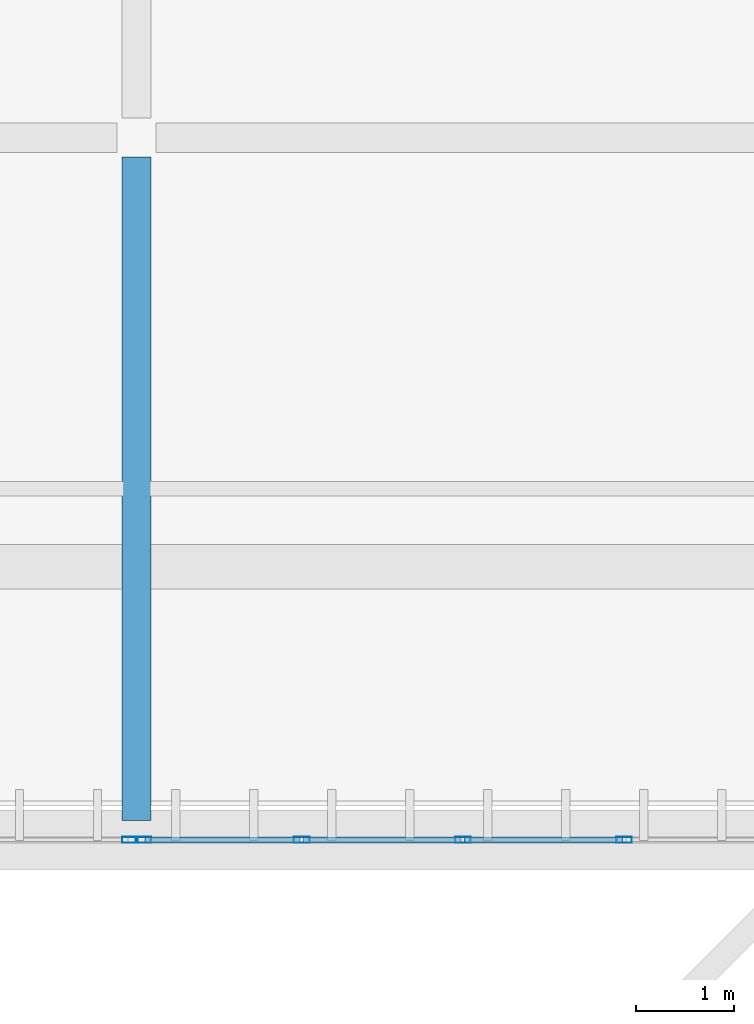
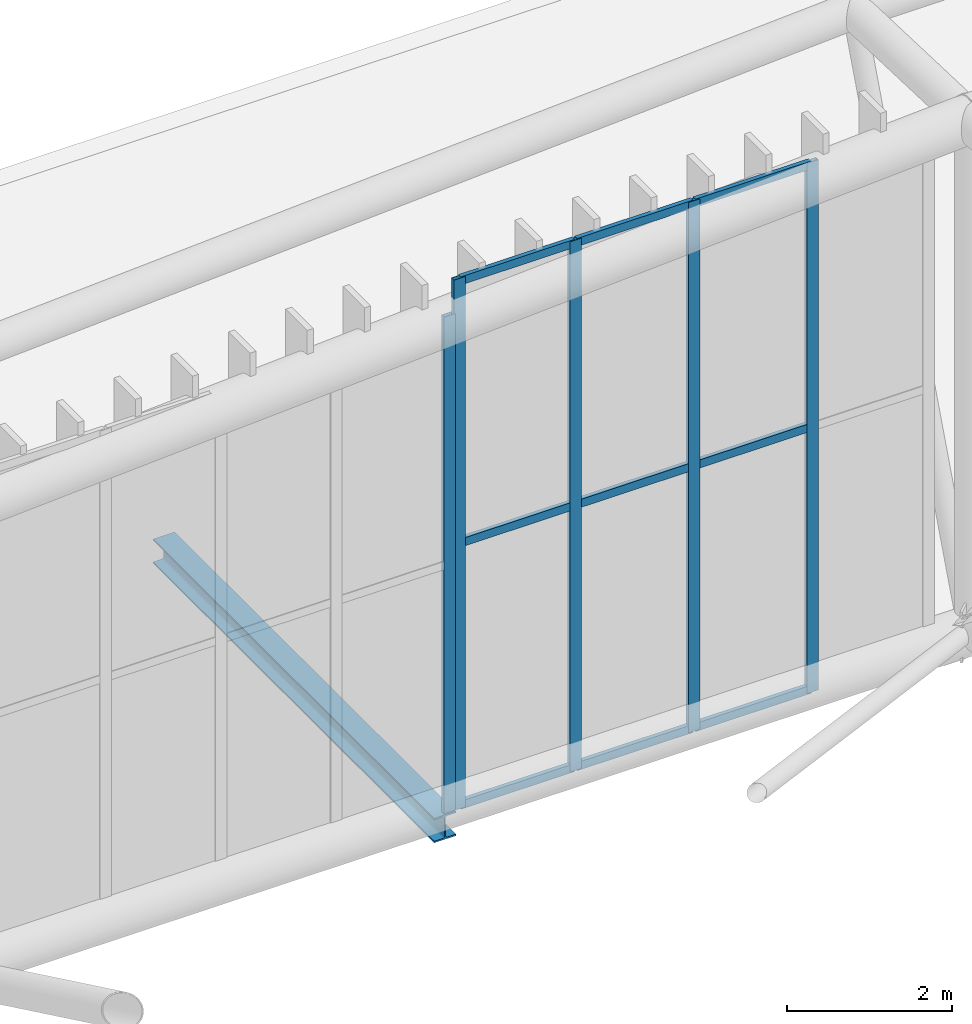
# One storey, part 262 of 397: 14 members, 1 beam, 2 elements without a shape of their own.
"""IFC4 building model written with IfcOpenShell, lengths in metres."""

import ifcopenshell
import ifcopenshell.guid

model = None  # the IFC model being written
_history = None  # IfcOwnerHistory: only IFC2X3 demands one
_inside = {}  # id of a spatial element -> (the spatial element, [elements in it])
_under = {}  # id of a project, library or spatial element -> (it, [spatial elements below it])
_declared = {}  # id of a project -> (the project, [libraries it declares])
_typed = {}  # id of a type object -> (the type object, [elements of that type])
_made_of = {}  # id of a material, layer set ... -> (it, [elements and type objects made of it])


def new_model(schema):
    """Start an empty IFC model of exactly this schema.

    Asked for "IFC4X3", IfcOpenShell would pick the latest addendum, in which some entities
    have other attributes; the version numbers below select the first issue.
    IFC2X3 requires an IfcOwnerHistory on every rooted entity: one is made here for all.
    """
    global model, _history
    if schema == "IFC4X3":
        model = ifcopenshell.file(schema_version=(4, 3, 0, 0))
    else:
        model = ifcopenshell.file(schema=schema)
    _inside.clear()
    _under.clear()
    _declared.clear()
    _typed.clear()
    _made_of.clear()
    _history = None
    if model.schema == "IFC2X3":
        org = make("IfcOrganization", Name="unknown")
        user = make(
            "IfcPersonAndOrganization",
            ThePerson=make("IfcPerson", FamilyName="unknown"),
            TheOrganization=org,
        )
        app = make(
            "IfcApplication",
            ApplicationDeveloper=org,
            Version="unknown",
            ApplicationFullName="unknown",
            ApplicationIdentifier="unknown",
        )
        _history = make(
            "IfcOwnerHistory",
            OwningUser=user,
            OwningApplication=app,
            ChangeAction="ADDED",
            CreationDate=0,
        )
    return model


def make(cls, **values):
    """One entity of the class cls with the attributes given. An attribute that is None is left unset."""
    return model.create_entity(
        cls, **{name: value for name, value in values.items() if value is not None}
    )


def rooted(cls, **values):
    """An entity with a GlobalId (a new one), such as an element, a storey or a relation."""
    return make(cls, GlobalId=ifcopenshell.guid.new(), OwnerHistory=_history, **values)


def si_unit(unit_type, name, prefix=None):
    """IfcSIUnit, for example si_unit("LENGTHUNIT", "METRE", prefix="MILLI")."""
    return make("IfcSIUnit", UnitType=unit_type, Prefix=prefix, Name=name)


def assignment(units):
    """IfcUnitAssignment: the units of a project."""
    return None if units is None else make("IfcUnitAssignment", Units=units)


def point(xyz):
    """IfcCartesianPoint."""
    return None if xyz is None else make("IfcCartesianPoint", Coordinates=xyz)


def direction(xyz):
    """IfcDirection."""
    return None if xyz is None else make("IfcDirection", DirectionRatios=xyz)


def frame(location, z_axis=None, x_axis=None):
    """IfcAxis2Placement3D, a coordinate frame: its origin and axes. An axis left out is left unset."""
    return make(
        "IfcAxis2Placement3D",
        Location=point(location),
        Axis=direction(z_axis),
        RefDirection=direction(x_axis),
    )


def frame_2d(location, x_axis=None):
    """IfcAxis2Placement2D, a coordinate frame in the plane: its origin and x axis."""
    return make(
        "IfcAxis2Placement2D", Location=point(location), RefDirection=direction(x_axis)
    )


def origin():
    """The frame at (0, 0, 0) with its axes left unset."""
    return frame((0.0, 0.0, 0.0))


def origin_2d():
    """The frame at (0, 0) in the plane with its x axis left unset."""
    return frame_2d((0.0, 0.0))


def place(relative_to, where):
    """IfcLocalPlacement: puts the frame where relative to a parent placement (None: the world)."""
    return make(
        "IfcLocalPlacement", PlacementRelTo=relative_to, RelativePlacement=where
    )


def context(
    kind, dimensions, precision=None, world=None, true_north=None, identifier=None
):
    """IfcGeometricRepresentationContext, for example the 3D "Model" context."""
    return make(
        "IfcGeometricRepresentationContext",
        ContextIdentifier=identifier,
        ContextType=kind,
        CoordinateSpaceDimension=dimensions,
        Precision=precision,
        WorldCoordinateSystem=world,
        TrueNorth=true_north,
    )


def subcontext(parent, identifier, kind, view, scale=None):
    """IfcGeometricRepresentationSubContext, for example "Body" below "Model"."""
    return make(
        "IfcGeometricRepresentationSubContext",
        ContextIdentifier=identifier,
        ContextType=kind,
        ParentContext=parent,
        TargetScale=scale,
        TargetView=view,
    )


def project(units=None, contexts=None):
    """IfcProject with its units and contexts."""
    return rooted(
        "IfcProject",
        Name="project",
        RepresentationContexts=contexts,
        UnitsInContext=assignment(units),
    )


def spatial(cls, under=None, at=None, **own):
    """A site, building, storey or space (cls), placed at a placement, below another one or the project."""
    s = rooted(cls, ObjectPlacement=at, **own)
    if under is not None:
        _under.setdefault(under.id(), (under, []))[1].append(s)
    return s


def profile(cls, at=None, kind="AREA", **sizes):
    """A parametric profile (cls). Its sizes go by their IFC names, for example OverallWidth=200.0."""
    return make(cls, ProfileType=kind, Position=at, **sizes)


def hollow_rectangle(**sizes):
    """IfcRectangleHollowProfileDef."""
    return profile("IfcRectangleHollowProfileDef", **sizes)


def i_section(**sizes):
    """IfcIShapeProfileDef."""
    return profile("IfcIShapeProfileDef", **sizes)


def extrude(swept, where, along, depth):
    """IfcExtrudedAreaSolid: the profile swept, set in the frame where, extruded along a direction by depth."""
    return make(
        "IfcExtrudedAreaSolid",
        SweptArea=swept,
        Position=where,
        ExtrudedDirection=direction(along),
        Depth=depth,
    )


def shape(context_of_items, identifier, shape_type, items):
    """IfcShapeRepresentation: the items that make up one representation, for example the "Body"."""
    return make(
        "IfcShapeRepresentation",
        ContextOfItems=context_of_items,
        RepresentationIdentifier=identifier,
        RepresentationType=shape_type,
        Items=items,
    )


def material(Name=None, Category=None):
    """IfcMaterial."""
    return make("IfcMaterial", Name=Name, Category=Category)


def material_profile(
    of_material, cross_section, Name=None, Category=None, Priority=None
):
    """IfcMaterialProfile: a cross section and its material."""
    return make(
        "IfcMaterialProfile",
        Name=Name,
        Material=of_material,
        Profile=cross_section,
        Priority=Priority,
        Category=Category,
    )


def profile_set(profiles, Name=None, composite=None):
    """IfcMaterialProfileSet."""
    return make(
        "IfcMaterialProfileSet",
        Name=Name,
        MaterialProfiles=profiles,
        CompositeProfile=composite,
    )


def made_of(thing, what):
    """Note that an element or type object is made of a material, layer set ...; save() writes the relation."""
    if what is not None:
        _made_of.setdefault(what.id(), (what, []))[1].append(thing)
    return thing


def type_object(cls, material=None, **own):
    """A type object (cls), such as IfcWallType, which elements share."""
    return made_of(rooted(cls, **own), material)


def element(
    cls,
    number,
    at=None,
    inside=None,
    cuts=None,
    type_object=None,
    material=None,
    context=None,
    identifier="Body",
    shape_type=None,
    held_by="IfcProductDefinitionShape",
    body=None,
    shapes=None,
    **own,
):
    """One element of the class cls, such as IfcWall. Its Tag is "e" and its number.

    at: its placement. inside: the storey or other place that contains it. cuts: it is an
    opening in that element (IfcRelVoidsElement). A single representation is given by context,
    identifier, shape_type and body (its items); several are given by shapes. held_by: the class
    of the entity that holds the representations. save() writes the other relations.
    """
    e = rooted(cls, Tag="e%d" % number, ObjectPlacement=at, **own)
    if body is not None:
        shapes = [shape(context, identifier, shape_type, body)]
    if shapes is not None:
        e.Representation = make(held_by, Representations=shapes)
    if inside is not None:
        _inside.setdefault(inside.id(), (inside, []))[1].append(e)
    if cuts is not None:
        rooted(
            "IfcRelVoidsElement", RelatingBuildingElement=cuts, RelatedOpeningElement=e
        )
    if type_object is not None:
        _typed.setdefault(type_object.id(), (type_object, []))[1].append(e)
    return made_of(e, material)


def aggregate(whole, parts):
    """IfcRelAggregates: a whole, such as a stair, and the parts it consists of."""
    return rooted("IfcRelAggregates", RelatingObject=whole, RelatedObjects=parts)


def save(model, path):
    """Write the relations noted so far, then the file.

    IfcRelAggregates (storeys below a building ...), IfcRelContainedInSpatialStructure (elements
    in a storey), IfcRelDefinesByType, IfcRelAssociatesMaterial and IfcRelDeclares: one each for
    every whole, place, type object, material and project.
    """
    for whole, parts in _under.values():
        aggregate(whole, parts)
    for where, things in _inside.values():
        rooted(
            "IfcRelContainedInSpatialStructure",
            RelatedElements=things,
            RelatingStructure=where,
        )
    for kind, things in _typed.values():
        rooted("IfcRelDefinesByType", RelatedObjects=things, RelatingType=kind)
    for what, things in _made_of.values():
        rooted("IfcRelAssociatesMaterial", RelatedObjects=things, RelatingMaterial=what)
    for by, libraries in _declared.values():
        rooted("IfcRelDeclares", RelatingContext=by, RelatedDefinitions=libraries)
    model.write(path)


model = new_model("IFC4")

# Units and contexts
model_context = context("Model", 3, precision=1e-05, world=origin(), true_north=direction((0.0, 1.0)))
body_context = subcontext(model_context, "Body", "Model", "MODEL_VIEW")
ifc_project = project(units=[si_unit("LENGTHUNIT", "METRE"), si_unit("AREAUNIT", "SQUARE_METRE"), si_unit("VOLUMEUNIT", "CUBIC_METRE"), si_unit("PLANEANGLEUNIT", "RADIAN"), si_unit("MASSUNIT", "GRAM", prefix="KILO")], contexts=[model_context])

# Site, building, storey
site_placement = place(None, origin())
site = spatial("IfcSite", under=ifc_project, at=site_placement, CompositionType="ELEMENT")
building_placement = place(site_placement, origin())
building = spatial("IfcBuilding", under=site, at=building_placement, Name="Qandorah Velis Arena", CompositionType="ELEMENT")
storey_placement = place(building_placement, frame((0.0, 0.0, 27.5)))
storey = spatial("IfcBuildingStorey", under=building, at=storey_placement, Name="RF", CompositionType="ELEMENT", Elevation=27.5)

# Curtain wall, member
ifc_material_1 = material(Name="Solar-control low-E double glazing", Category="glass")
curtain_wall_type_1 = type_object("IfcCurtainWallType", Name="ARC-CW-SYS03", PredefinedType="USERDEFINED", material=ifc_material_1)
curtain_wall_1_placement = place(storey_placement, origin())
curtain_wall_1 = element("IfcCurtainWall", 1, at=curtain_wall_1_placement, inside=storey, type_object=curtain_wall_type_1, Name="Unitised curtain wall CROWN-4-03S1", ObjectType="UNITISED CURTAIN WALL", PredefinedType="USERDEFINED")
ifc_material_2 = material(Name="Champagne-bronze anodized aluminium 6063-T6", Category="aluminium")
ifc_material_profile_1 = material_profile(ifc_material_2, hollow_rectangle(XDim=0.06005859375, YDim=0.159912109375, WallThickness=0.00341796875, at=origin_2d()), Name="ALU MULLION 60x160")
ifc_profile_set_1 = profile_set([ifc_material_profile_1], Name="Champagne-bronze anodized aluminium 6063-T6")
member_type_1 = type_object("IfcMemberType", Name="ARC-CWM-160", PredefinedType="MULLION", material=ifc_profile_set_1)
member_1_placement = place(storey_placement, frame((50.330078125, 115.199951171875, -0.014892578125), z_axis=(0.0, 0.0, 1.0), x_axis=(0.0, 1.0, 0.0)))
member_1 = element("IfcMember", 2, at=member_1_placement, type_object=member_type_1, Name="CW03 mullion 5", PredefinedType="MULLION", context=body_context, shape_type="SweptSolid", body=[
    extrude(hollow_rectangle(XDim=0.06005859375, YDim=0.159912109375, WallThickness=0.00341796875, at=origin_2d()), origin(), (0.0, 0.0, 1.0), 7.32958984375),
])
aggregate(curtain_wall_1, [member_1])

# Curtain wall, members
curtain_wall_type_2 = type_object("IfcCurtainWallType", Name="ARC-CW-SYS04", PredefinedType="USERDEFINED", material=ifc_material_1)
curtain_wall_2_placement = place(storey_placement, origin())
curtain_wall_2 = element("IfcCurtainWall", 3, at=curtain_wall_2_placement, inside=storey, type_object=curtain_wall_type_2, Name="Unitised curtain wall CROWN-4-03S2", ObjectType="UNITISED CURTAIN WALL", PredefinedType="USERDEFINED")
member_2_placement = place(storey_placement, frame((50.469970703125, 115.199951171875, -0.014892578125), z_axis=(0.0, 0.0, 1.0), x_axis=(0.0, 1.0, 0.0)))
member_2 = element("IfcMember", 4, at=member_2_placement, type_object=member_type_1, Name="CW04 mullion 1", PredefinedType="MULLION", context=body_context, shape_type="SweptSolid", body=[
    extrude(hollow_rectangle(XDim=0.06005859375, YDim=0.159912109375, WallThickness=0.00341796875, at=origin_2d()), origin(), (0.0, 0.0, 1.0), 7.826416015625),
])
member_3_placement = place(storey_placement, frame((52.092529296875, 115.199951171875, -0.014892578125), z_axis=(0.0, 0.0, 1.0), x_axis=(0.0, 1.0, 0.0)))
member_3 = element("IfcMember", 5, at=member_3_placement, type_object=member_type_1, Name="CW04 mullion 2", PredefinedType="MULLION", context=body_context, shape_type="SweptSolid", body=[
    extrude(hollow_rectangle(XDim=0.06005859375, YDim=0.159912109375, WallThickness=0.00341796875, at=origin_2d()), origin(), (0.0, 0.0, 1.0), 7.826416015625),
])
member_4_placement = place(storey_placement, frame((53.7451171875, 115.199951171875, -0.014892578125), z_axis=(0.0, 0.0, 1.0), x_axis=(0.0, 1.0, 0.0)))
member_4 = element("IfcMember", 6, at=member_4_placement, type_object=member_type_1, Name="CW04 mullion 3", PredefinedType="MULLION", context=body_context, shape_type="SweptSolid", body=[
    extrude(hollow_rectangle(XDim=0.06005859375, YDim=0.159912109375, WallThickness=0.00341796875, at=origin_2d()), origin(), (0.0, 0.0, 1.0), 7.826416015625),
])
member_5_placement = place(storey_placement, frame((55.3974609375, 115.199951171875, -0.014892578125), z_axis=(0.0, 0.0, 1.0), x_axis=(0.0, 1.0, 0.0)))
member_5 = element("IfcMember", 7, at=member_5_placement, type_object=member_type_1, Name="CW04 mullion 4", PredefinedType="MULLION", context=body_context, shape_type="SweptSolid", body=[
    extrude(hollow_rectangle(XDim=0.06005859375, YDim=0.159912109375, WallThickness=0.00341796875, at=origin_2d()), origin(), (0.0, 0.0, 1.0), 7.826416015625),
])
ifc_material_profile_2 = material_profile(ifc_material_2, hollow_rectangle(XDim=0.06005859375, YDim=0.1201171875, WallThickness=0.0029296875, at=origin_2d()), Name="ALU TRANSOM 60x120")
ifc_profile_set_2 = profile_set([ifc_material_profile_2], Name="Champagne-bronze anodized aluminium 6063-T6")
member_type_2 = type_object("IfcMemberType", Name="ARC-CWT-120", PredefinedType="USERDEFINED", material=ifc_profile_set_2)
member_6_placement = place(storey_placement, frame((50.488037109375, 115.199951171875, 0.030029296875), z_axis=(1.0, 0.0, 0.0), x_axis=(0.0, 1.0, 0.0)))
member_6 = element("IfcMember", 8, at=member_6_placement, type_object=member_type_2, Name="CW04 transom 1.1", ObjectType="TRANSOM", PredefinedType="USERDEFINED", context=body_context, shape_type="SweptSolid", body=[
    extrude(hollow_rectangle(XDim=0.06005859375, YDim=0.1201171875, WallThickness=0.0029296875, at=origin_2d()), origin(), (0.0, 0.0, 1.0), 1.58642578125),
])
member_7_placement = place(storey_placement, frame((50.488037109375, 115.199951171875, 3.898193359375), z_axis=(1.0, 0.0, 0.0), x_axis=(0.0, 1.0, 0.0)))
member_7 = element("IfcMember", 9, at=member_7_placement, type_object=member_type_2, Name="CW04 transom 1.2", ObjectType="TRANSOM", PredefinedType="USERDEFINED", context=body_context, shape_type="SweptSolid", body=[
    extrude(hollow_rectangle(XDim=0.06005859375, YDim=0.1201171875, WallThickness=0.0029296875, at=origin_2d()), origin(), (0.0, 0.0, 1.0), 1.58642578125),
])
member_8_placement = place(storey_placement, frame((50.488037109375, 115.199951171875, 7.7666015625), z_axis=(1.0, 0.0, 0.0), x_axis=(0.0, 1.0, 0.0)))
member_8 = element("IfcMember", 10, at=member_8_placement, type_object=member_type_2, Name="CW04 transom 1.3", ObjectType="TRANSOM", PredefinedType="USERDEFINED", context=body_context, shape_type="SweptSolid", body=[
    extrude(hollow_rectangle(XDim=0.06005859375, YDim=0.1201171875, WallThickness=0.0029296875, at=origin_2d()), origin(), (0.0, 0.0, 1.0), 1.58642578125),
])
member_9_placement = place(storey_placement, frame((52.110595703125, 115.199951171875, 0.030029296875), z_axis=(1.0, 0.0, 0.0), x_axis=(0.0, 1.0, 0.0)))
member_9 = element("IfcMember", 11, at=member_9_placement, type_object=member_type_2, Name="CW04 transom 2.1", ObjectType="TRANSOM", PredefinedType="USERDEFINED", context=body_context, shape_type="SweptSolid", body=[
    extrude(hollow_rectangle(XDim=0.06005859375, YDim=0.1201171875, WallThickness=0.0029296875, at=origin_2d()), origin(), (0.0, 0.0, 1.0), 1.616455078125),
])
member_10_placement = place(storey_placement, frame((52.110595703125, 115.199951171875, 3.898193359375), z_axis=(1.0, 0.0, 0.0), x_axis=(0.0, 1.0, 0.0)))
member_10 = element("IfcMember", 12, at=member_10_placement, type_object=member_type_2, Name="CW04 transom 2.2", ObjectType="TRANSOM", PredefinedType="USERDEFINED", context=body_context, shape_type="SweptSolid", body=[
    extrude(hollow_rectangle(XDim=0.06005859375, YDim=0.1201171875, WallThickness=0.0029296875, at=origin_2d()), origin(), (0.0, 0.0, 1.0), 1.616455078125),
])
member_11_placement = place(storey_placement, frame((52.110595703125, 115.199951171875, 7.7666015625), z_axis=(1.0, 0.0, 0.0), x_axis=(0.0, 1.0, 0.0)))
member_11 = element("IfcMember", 13, at=member_11_placement, type_object=member_type_2, Name="CW04 transom 2.3", ObjectType="TRANSOM", PredefinedType="USERDEFINED", context=body_context, shape_type="SweptSolid", body=[
    extrude(hollow_rectangle(XDim=0.06005859375, YDim=0.1201171875, WallThickness=0.0029296875, at=origin_2d()), origin(), (0.0, 0.0, 1.0), 1.616455078125),
])
member_12_placement = place(storey_placement, frame((53.762939453125, 115.199951171875, 0.030029296875), z_axis=(1.0, 0.0, 0.0), x_axis=(0.0, 1.0, 0.0)))
member_12 = element("IfcMember", 14, at=member_12_placement, type_object=member_type_2, Name="CW04 transom 3.1", ObjectType="TRANSOM", PredefinedType="USERDEFINED", context=body_context, shape_type="SweptSolid", body=[
    extrude(hollow_rectangle(XDim=0.06005859375, YDim=0.1201171875, WallThickness=0.0029296875, at=origin_2d()), origin(), (0.0, 0.0, 1.0), 1.616455078125),
])
member_13_placement = place(storey_placement, frame((53.762939453125, 115.199951171875, 3.898193359375), z_axis=(1.0, 0.0, 0.0), x_axis=(0.0, 1.0, 0.0)))
member_13 = element("IfcMember", 15, at=member_13_placement, type_object=member_type_2, Name="CW04 transom 3.2", ObjectType="TRANSOM", PredefinedType="USERDEFINED", context=body_context, shape_type="SweptSolid", body=[
    extrude(hollow_rectangle(XDim=0.06005859375, YDim=0.1201171875, WallThickness=0.0029296875, at=origin_2d()), origin(), (0.0, 0.0, 1.0), 1.616455078125),
])
member_14_placement = place(storey_placement, frame((53.762939453125, 115.199951171875, 7.7666015625), z_axis=(1.0, 0.0, 0.0), x_axis=(0.0, 1.0, 0.0)))
member_14 = element("IfcMember", 16, at=member_14_placement, type_object=member_type_2, Name="CW04 transom 3.3", ObjectType="TRANSOM", PredefinedType="USERDEFINED", context=body_context, shape_type="SweptSolid", body=[
    extrude(hollow_rectangle(XDim=0.06005859375, YDim=0.1201171875, WallThickness=0.0029296875, at=origin_2d()), origin(), (0.0, 0.0, 1.0), 1.616455078125),
])
aggregate(curtain_wall_2, [member_2, member_3, member_4, member_5, member_6, member_7, member_8, member_9, member_10, member_11, member_12, member_13, member_14])

# Beam
ifc_material_3 = material(Name="Steel S355", Category="steel")
ifc_material_profile_3 = material_profile(ifc_material_3, i_section(OverallWidth=0.300048828125, OverallDepth=0.360107421875, WebThickness=0.012451171875, FlangeThickness=0.0224609375, FilletRadius=0.027099609375, at=origin_2d()), Name="HEB 360")
ifc_profile_set_3 = profile_set([ifc_material_profile_3], Name="Steel S355")
beam_type = type_object("IfcBeamType", Name="STR-BM-HEB360", PredefinedType="BEAM", material=ifc_profile_set_3)
beam_placement = place(storey_placement, frame((50.39990234375, 115.39990234375, -0.39990234375), z_axis=(0.0, 1.0, 0.0), x_axis=(-1.0, 0.0, 0.0)))
element("IfcBeam", 17, at=beam_placement, inside=storey, type_object=beam_type, Name="Primary floor girder RF Y-101", PredefinedType="BEAM", context=body_context, shape_type="SweptSolid", body=[
    extrude(i_section(OverallWidth=0.300048828125, OverallDepth=0.360107421875, WebThickness=0.012451171875, FlangeThickness=0.0224609375, FilletRadius=0.027099609375, at=origin_2d()), origin(), (0.0, 0.0, 1.0), 6.800048828125),
])

save(model, "model.ifc")
